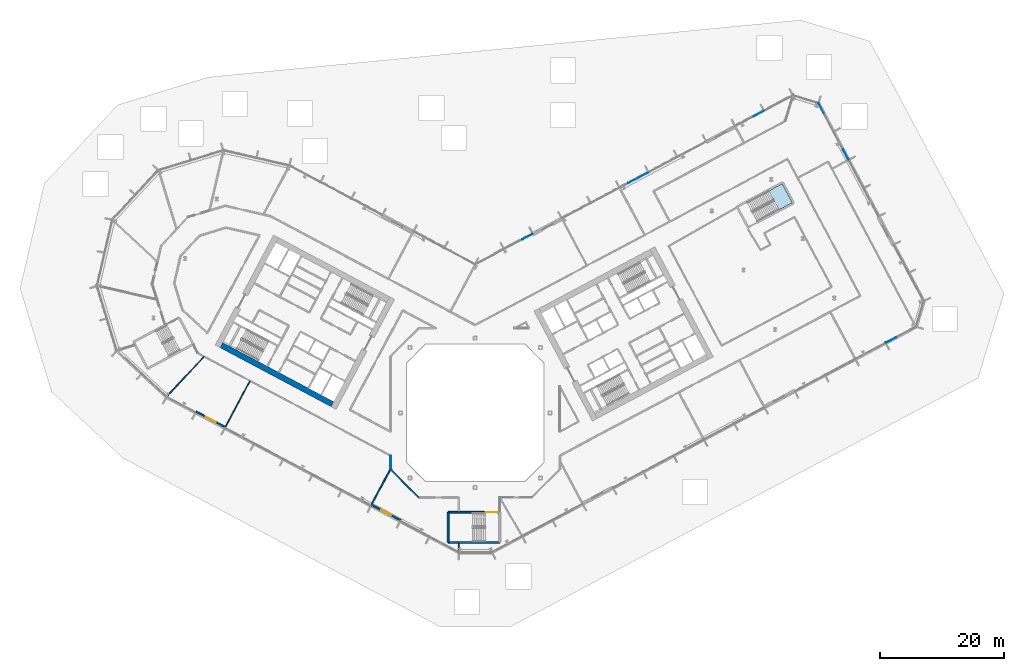
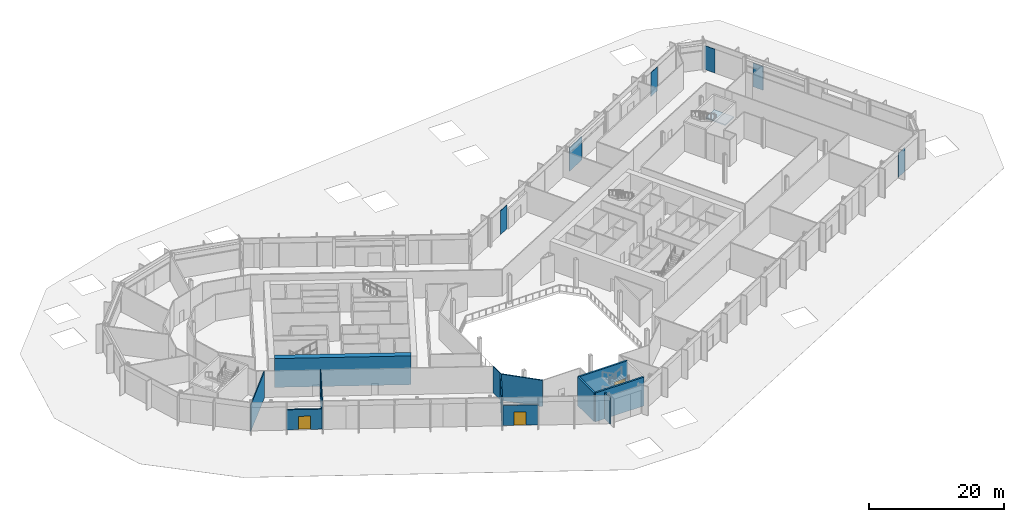
# One storey, part 11 of 30: 12 walls, 6 plates, 3 doors, 1 slab, 3 openings, 4 elements without a shape of their own.
"""IFC4 building model written with IfcOpenShell, lengths in metres."""

from ifc_helpers import new_model, si_unit, direction, frame, frame_2d, origin, origin_2d, place, context, subcontext, project, spatial, polyline, rectangle, outline, extrude, material, layer, layer_set, type_object, element, fill, aggregate, save


model = new_model("IFC4")

# Units and contexts
model_context = context("Model", 3, precision=1e-05, world=origin(), true_north=direction((0.0, 1.0)))
body_context = subcontext(model_context, "Body", "Model", "MODEL_VIEW")
ifc_project = project(units=[si_unit("LENGTHUNIT", "METRE"), si_unit("AREAUNIT", "SQUARE_METRE"), si_unit("VOLUMEUNIT", "CUBIC_METRE"), si_unit("PLANEANGLEUNIT", "RADIAN"), si_unit("MASSUNIT", "GRAM", prefix="KILO")], contexts=[model_context])

# Site, building, storey
site_placement = place(None, origin())
site = spatial("IfcSite", under=ifc_project, at=site_placement, CompositionType="ELEMENT")
building_placement = place(site_placement, origin())
building = spatial("IfcBuilding", under=site, at=building_placement, Name="Cormorant Relay Tower", CompositionType="ELEMENT")
storey_placement = place(building_placement, frame((0.0, 0.0, 7.0)))
storey = spatial("IfcBuildingStorey", under=building, at=storey_placement, Name="L01", CompositionType="ELEMENT", Elevation=7.0)

# Curtain wall, plate
ifc_material_1 = material(Name="Aluminium 6063-T6 anodised bronze", Category="aluminium")
ifc_layer_1 = layer(ifc_material_1, 0.235107421875)
ifc_layer_set_1 = layer_set([ifc_layer_1], Name="CW6 data hall curtain wall with mineral wool panels")
curtain_wall_type = type_object("IfcCurtainWallType", Name="CW6 data hall curtain wall with mineral wool panels", PredefinedType="NOTDEFINED", material=ifc_layer_set_1)
curtain_wall_1_placement = place(storey_placement, origin())
curtain_wall_1 = element("IfcCurtainWall", 1, at=curtain_wall_1_placement, inside=storey, type_object=curtain_wall_type, Name="CW6 curtain wall 2", PredefinedType="NOTDEFINED")
ifc_material_2 = material(Name="Tinted triple-glazed laminated unit")
ifc_layer_2 = layer(ifc_material_2, 0.074951171875)
ifc_layer_set_2 = layer_set([ifc_layer_2], Name="CW6 triple-glazed vision unit 1800 module")
plate_type_1 = type_object("IfcPlateType", Name="CW6 triple-glazed vision unit 1800 module", PredefinedType="CURTAIN_PANEL", material=ifc_layer_set_2)
plate_1_placement = place(storey_placement, frame((66.794189453125, 11.688720703125, 0.0), z_axis=(0.0, 0.0, 1.0), x_axis=(0.882947592859, 0.469471562786, 0.0)))
plate_1 = element("IfcPlate", 2, at=plate_1_placement, type_object=plate_type_1, Name="CW6 panel V14", PredefinedType="CURTAIN_PANEL", context=body_context, shape_type="SweptSolid", body=[
    extrude(rectangle(XDim=1.800048828125, YDim=0.074951171875, at=origin_2d()), origin(), (0.0, 0.0, 1.0), 4.300048828125),
])
aggregate(curtain_wall_1, [plate_1])

# Curtain wall, plates
curtain_wall_2_placement = place(storey_placement, origin())
curtain_wall_2 = element("IfcCurtainWall", 3, at=curtain_wall_2_placement, inside=storey, type_object=curtain_wall_type, Name="CW6 curtain wall 4", PredefinedType="NOTDEFINED")
plate_2_placement = place(storey_placement, frame((59.52587890625, 41.49169921875, 0.0), z_axis=(0.0, 0.0, 1.0), x_axis=(-0.469471562786, 0.882947592859, 0.0)))
plate_2 = element("IfcPlate", 4, at=plate_2_placement, type_object=plate_type_1, Name="CW6 panel V03", PredefinedType="CURTAIN_PANEL", context=body_context, shape_type="SweptSolid", body=[
    extrude(rectangle(XDim=1.800048828125, YDim=0.074951171875, at=origin_2d()), origin(), (0.0, 0.0, 1.0), 4.300048828125),
])
plate_3_placement = place(storey_placement, frame((55.577392578125, 48.91796875, 0.0), z_axis=(0.0, 0.0, 1.0), x_axis=(-0.469471562786, 0.882947592859, 0.0)))
plate_3 = element("IfcPlate", 5, at=plate_3_placement, type_object=plate_type_1, Name="CW6 panel V05", PredefinedType="CURTAIN_PANEL", context=body_context, shape_type="SweptSolid", body=[
    extrude(rectangle(XDim=1.800048828125, YDim=0.074951171875, at=origin_2d()), origin(), (0.0, 0.0, 1.0), 4.300048828125),
])
aggregate(curtain_wall_2, [plate_2, plate_3])

curtain_wall_3_placement = place(storey_placement, origin())
curtain_wall_3 = element("IfcCurtainWall", 6, at=curtain_wall_3_placement, inside=storey, type_object=curtain_wall_type, Name="CW6 curtain wall 6", PredefinedType="NOTDEFINED")
plate_4_placement = place(storey_placement, frame((45.543701171875, 48.04248046875, 0.0), z_axis=(0.0, 0.0, 1.0), x_axis=(-0.882947592859, -0.469471562786, 0.0)))
plate_4 = element("IfcPlate", 7, at=plate_4_placement, type_object=plate_type_1, Name="CW6 panel V01", PredefinedType="CURTAIN_PANEL", context=body_context, shape_type="SweptSolid", body=[
    extrude(rectangle(XDim=1.800048828125, YDim=0.074951171875, at=origin_2d()), origin(), (0.0, 0.0, 1.0), 4.300048828125),
])
plate_5_placement = place(storey_placement, frame((8.406005859375, 28.2958984375, 0.0), z_axis=(0.0, 0.0, 1.0), x_axis=(-0.882947592859, -0.469471562786, 0.0)))
plate_5 = element("IfcPlate", 8, at=plate_5_placement, type_object=plate_type_1, Name="CW6 panel V09", PredefinedType="CURTAIN_PANEL", context=body_context, shape_type="SweptSolid", body=[
    extrude(rectangle(XDim=1.800048828125, YDim=0.074951171875, at=origin_2d()), origin(), (0.0, 0.0, 1.0), 4.300048828125),
])
ifc_material_3 = material(Name="Tinted triple-glazed laminated unit")
ifc_layer_3 = layer(ifc_material_3, 0.074951171875)
ifc_layer_set_3 = layer_set([ifc_layer_3], Name="CW6 triple-glazed vision unit 3600 module")
plate_type_2 = type_object("IfcPlateType", Name="CW6 triple-glazed vision unit 3600 module", PredefinedType="CURTAIN_PANEL", material=ifc_layer_set_3)
plate_6_placement = place(storey_placement, frame((26.18017578125, 37.74658203125, 0.0), z_axis=(0.0, 0.0, 1.0), x_axis=(-0.882947592859, -0.469471562786, 0.0)))
plate_6 = element("IfcPlate", 9, at=plate_6_placement, type_object=plate_type_2, Name="CW6 panel V05", PredefinedType="CURTAIN_PANEL", context=body_context, shape_type="SweptSolid", body=[
    extrude(rectangle(XDim=3.60009765625, YDim=0.074951171875, at=origin_2d()), origin(), (0.0, 0.0, 1.0), 4.300048828125),
])
aggregate(curtain_wall_3, [plate_4, plate_6, plate_5])

# Stair, slab
ifc_material_4 = material(Name="Concrete 40 MPa", Category="concrete")
stair_type = type_object("IfcStairType", Name="Exit stair 1500", PredefinedType="HALF_TURN_STAIR", material=ifc_material_4)
stair_placement = place(storey_placement, origin())
stair = element("IfcStair", 10, at=stair_placement, inside=storey, type_object=stair_type, Name="L01 Stair", PredefinedType="HALF_TURN_STAIR")
ifc_material_5 = material(Name="Concrete 40 MPa", Category="concrete")
ifc_layer_4 = layer(ifc_material_5, 0.199951171875)
ifc_layer_set_4 = layer_set([ifc_layer_4], Name="Exit stair landing 200")
slab_type = type_object("IfcSlabType", Name="Exit stair landing 200", PredefinedType="LANDING", material=ifc_layer_set_4)
slab_placement = place(storey_placement, frame((0.0, 0.0, 2.39990234375)))
slab = element("IfcSlab", 11, at=slab_placement, type_object=slab_type, Name="RB1 landing 1", PredefinedType="LANDING", context=body_context, shape_type="SweptSolid", body=[
    extrude(outline(polyline([(48.796142578125, 32.614013671875), (50.941650390625, 33.7548828125), (49.322021484375, 36.801025390625), (47.17626953125, 35.66015625), (48.796142578125, 32.614013671875)])), origin(), (0.0, 0.0, 1.0), 0.2001953125),
])
aggregate(stair, [slab])

# Walls
ifc_material_6 = material(Name="Concrete 70 MPa", Category="concrete")
ifc_layer_5 = layer(ifc_material_6, 0.89990234375)
ifc_layer_set_5 = layer_set([ifc_layer_5], Name="Core wall 900")
wall_type_1 = type_object("IfcWallType", Name="Core wall 900", PredefinedType="SHEAR", material=ifc_layer_set_5)
wall_1_placement = place(storey_placement, frame((-22.93701171875, 1.3798828125, 0.0), z_axis=(0.0, 0.0, 1.0), x_axis=(-0.88295276571, 0.46946183394, 0.0)))
element("IfcWall", 12, at=wall_1_placement, inside=storey, type_object=wall_type_1, Name="L01 core A wall", PredefinedType="SHEAR", context=body_context, shape_type="SweptSolid", body=[
    extrude(rectangle(XDim=20.199951171875, YDim=0.89990234375, at=frame_2d((10.10009765625, 0.0))), origin(), (0.0, 0.0, 1.0), 5.199951171875),
])
ifc_material_7 = material(Name="Fire-rated gypsum board partition")
ifc_layer_6 = layer(ifc_material_7, 0.199951171875)
ifc_layer_set_6 = layer_set([ifc_layer_6], Name="Fire-rated gypsum partition 200")
wall_type_2 = type_object("IfcWallType", Name="Fire-rated gypsum partition 200", PredefinedType="PARTITIONING", material=ifc_layer_set_6)
wall_2_placement = place(storey_placement, frame((-13.60009765625, -8.998046875, 0.0), z_axis=(0.0, 0.0, 1.0), x_axis=(-0.469531053644, -0.882915958438, 0.0)))
element("IfcWall", 13, at=wall_2_placement, inside=storey, type_object=wall_type_2, Name="wall/L01/part/28", PredefinedType="PARTITIONING", context=body_context, shape_type="SweptSolid", body=[
    extrude(rectangle(XDim=6.870361328125, YDim=0.199951171875, at=frame_2d((3.43505859375, 0.0))), origin(), (0.0, 0.0, 1.0), 4.75),
])
wall_3_placement = place(storey_placement, frame((-9.076904296875, -13.60009765625, 0.0), z_axis=(0.0, 0.0, 1.0), x_axis=(-0.707106781187, 0.707106781187, 0.0)))
element("IfcWall", 14, at=wall_3_placement, inside=storey, type_object=wall_type_2, Name="wall/L01/part/43", PredefinedType="PARTITIONING", context=body_context, shape_type="SweptSolid", body=[
    extrude(rectangle(XDim=6.396728515625, YDim=0.199951171875, at=frame_2d((3.1982421875, 0.0))), origin(), (0.0, 0.0, 1.0), 4.75),
])
wall_4_placement = place(storey_placement, frame((-2.64892578125, -20.9599609375, 0.0), z_axis=(0.0, 0.0, 1.0), x_axis=(0.0, -1.0, 0.0)))
element("IfcWall", 15, at=wall_4_placement, inside=storey, type_object=wall_type_2, Name="wall/L01/part/48", PredefinedType="PARTITIONING", context=body_context, shape_type="SweptSolid", body=[
    extrude(rectangle(XDim=1.6220703125, YDim=0.199951171875, at=frame_2d((0.81103515625, 0.0))), origin(), (0.0, 0.0, 1.0), 4.75),
])

# Wall, opening, door
ifc_material_8 = material(Name="Bronze anodised aluminium cladding on steel stud", Category="steel")
ifc_layer_7 = layer(ifc_material_8, 0.25)
ifc_layer_set_7 = layer_set([ifc_layer_7], Name="Garden entrance wall 250")
wall_type_3 = type_object("IfcWallType", Name="Garden entrance wall 250", PredefinedType="STANDARD", material=ifc_layer_set_7)
wall_5_placement = place(storey_placement, frame((-44.838623046875, 0.19873046875, 0.0), z_axis=(0.0, 0.0, 1.0), x_axis=(0.882942052833, -0.46948198191, 0.0)))
wall_5 = element("IfcWall", 16, at=wall_5_placement, inside=storey, type_object=wall_type_3, Name="Garden entrance wall", PredefinedType="STANDARD", context=body_context, shape_type="SweptSolid", body=[
    extrude(rectangle(XDim=5.316650390625, YDim=0.25, at=frame_2d((2.658203125, 0.0))), origin(), (0.0, 0.0, 1.0), 3.612060546875),
])
opening_1_placement = place(wall_5_placement, frame((1.75830078125, 0.0, 0.0)))
opening_1 = element("IfcOpeningElement", 17, at=opening_1_placement, cuts=wall_5, Name="Opening PD7-007", PredefinedType="OPENING", context=body_context, shape_type="SweptSolid", body=[
    extrude(rectangle(XDim=1.800048828125, YDim=2.39990234375, at=frame_2d((0.89990234375, 1.199951171875))), frame((0.0, 0.135009765625, 0.0), z_axis=(0.0, -1.0, 0.0), x_axis=(1.0, 0.0, 0.0)), (0.0, 0.0, 1.0), 0.27001953125),
])
ifc_material_9 = material(Name="Bronze framed glass door", Category="glass")
door_type_1 = type_object("IfcDoorType", Name="Door garden glazed 1800", OperationType="DOUBLE_DOOR_SINGLE_SWING", PredefinedType="DOOR", material=ifc_material_9)
door_1_placement = place(opening_1_placement, frame((1.800048828125, 0.0, 0.0), z_axis=(0.0, 0.0, 1.0), x_axis=(-1.0, 0.0, 0.0)))
door_1 = element("IfcDoor", 18, at=door_1_placement, inside=storey, type_object=door_type_1, Name="Garden door", OperationType="DOUBLE_DOOR_SINGLE_SWING", OverallHeight=2.39990234375, OverallWidth=1.800048828125, PredefinedType="DOOR", context=body_context, shape_type="SweptSolid", body=[
    extrude(rectangle(XDim=1.800048828125, YDim=2.39990234375, at=frame_2d((0.89990234375, 1.199951171875))), frame((0.0, 0.02490234375, 0.0), z_axis=(0.0, -1.0, 0.0), x_axis=(1.0, 0.0, 0.0)), (0.0, 0.0, 1.0), 0.050048828125),
])
fill(opening_1, door_1)

wall_6_placement = place(storey_placement, frame((-16.673095703125, -14.777099609375, 0.0), z_axis=(0.0, 0.0, 1.0), x_axis=(0.882942052833, -0.46948198191, 0.0)))
wall_6 = element("IfcWall", 19, at=wall_6_placement, inside=storey, type_object=wall_type_3, Name="Garden entrance wall", PredefinedType="STANDARD", context=body_context, shape_type="SweptSolid", body=[
    extrude(rectangle(XDim=5.316650390625, YDim=0.25, at=frame_2d((2.658203125, 0.0))), origin(), (0.0, 0.0, 1.0), 3.612060546875),
])
opening_2_placement = place(wall_6_placement, frame((1.75830078125, 0.0, 0.0)))
opening_2 = element("IfcOpeningElement", 20, at=opening_2_placement, cuts=wall_6, Name="Opening PD7-008", PredefinedType="OPENING", context=body_context, shape_type="SweptSolid", body=[
    extrude(rectangle(XDim=1.800048828125, YDim=2.39990234375, at=frame_2d((0.89990234375, 1.199951171875))), frame((0.0, 0.135009765625, 0.0), z_axis=(0.0, -1.0, 0.0), x_axis=(1.0, 0.0, 0.0)), (0.0, 0.0, 1.0), 0.27001953125),
])
door_2_placement = place(opening_2_placement, frame((1.800048828125, 0.0, 0.0), z_axis=(0.0, 0.0, 1.0), x_axis=(-1.0, 0.0, 0.0)))
door_2 = element("IfcDoor", 21, at=door_2_placement, inside=storey, type_object=door_type_1, Name="Garden door", OperationType="DOUBLE_DOOR_SINGLE_SWING", OverallHeight=2.39990234375, OverallWidth=1.800048828125, PredefinedType="DOOR", context=body_context, shape_type="SweptSolid", body=[
    extrude(rectangle(XDim=1.800048828125, YDim=2.39990234375, at=frame_2d((0.89990234375, 1.199951171875))), frame((0.0, 0.02490234375, 0.0), z_axis=(0.0, -1.0, 0.0), x_axis=(1.0, 0.0, 0.0)), (0.0, 0.0, 1.0), 0.050048828125),
])
fill(opening_2, door_2)

# Walls
ifc_material_10 = material(Name="Gypsum board partition")
ifc_layer_8 = layer(ifc_material_10, 0.14990234375)
ifc_layer_set_8 = layer_set([ifc_layer_8], Name="Gypsum board partition 150")
wall_type_4 = type_object("IfcWallType", Name="Gypsum board partition 150", PredefinedType="PARTITIONING", material=ifc_layer_set_8)
wall_7_placement = place(storey_placement, frame((-49.73291015625, 2.43310546875, 0.0), z_axis=(0.0, 0.0, 1.0), x_axis=(0.682002261255, 0.731350063679, 0.0)))
element("IfcWall", 22, at=wall_7_placement, inside=storey, type_object=wall_type_4, Name="wall/L01/part/10", PredefinedType="PARTITIONING", context=body_context, shape_type="SweptSolid", body=[
    extrude(rectangle(XDim=9.05859375, YDim=0.14990234375, at=frame_2d((4.529296875, 0.0))), origin(), (0.0, 0.0, 1.0), 4.75),
])
wall_8_placement = place(storey_placement, frame((-36.18896484375, 5.14208984375, 0.0), z_axis=(0.0, 0.0, 1.0), x_axis=(-0.469482945701, -0.882941540361, 0.0)))
element("IfcWall", 23, at=wall_8_placement, inside=storey, type_object=wall_type_4, Name="wall/L01/part/11", PredefinedType="PARTITIONING", context=body_context, shape_type="SweptSolid", body=[
    extrude(rectangle(XDim=8.75048828125, YDim=0.14990234375, at=frame_2d((4.375244140625, 0.0))), origin(), (0.0, 0.0, 1.0), 4.75),
])
wall_9_placement = place(storey_placement, frame((-13.60009765625, -8.998046875, 0.0), z_axis=(0.0, 0.0, 1.0), x_axis=(0.0, 1.0, 0.0)))
element("IfcWall", 24, at=wall_9_placement, inside=storey, type_object=wall_type_4, Name="wall/L01/part/21", PredefinedType="PARTITIONING", context=body_context, shape_type="SweptSolid", body=[
    extrude(rectangle(XDim=2.129150390625, YDim=0.14990234375, at=frame_2d((1.064453125, 0.0))), origin(), (0.0, 0.0, 1.0), 4.75),
])
ifc_material_11 = material(Name="Concrete 50 MPa", Category="concrete")
ifc_layer_9 = layer(ifc_material_11, 0.300048828125)
ifc_layer_set_9 = layer_set([ifc_layer_9], Name="Remote stair wall 300")
wall_type_5 = type_object("IfcWallType", Name="Remote stair wall 300", PredefinedType="SHEAR", material=ifc_layer_set_9)
wall_10_placement = place(storey_placement, frame((3.949951171875, -20.824951171875, 0.0), z_axis=(0.0, 0.0, 1.0), x_axis=(-1.0, 0.0, 0.0)))
element("IfcWall", 25, at=wall_10_placement, inside=storey, type_object=wall_type_5, Name="L01 exit stair RK1 wall", PredefinedType="SHEAR", context=body_context, shape_type="SweptSolid", body=[
    extrude(rectangle(XDim=8.300048828125, YDim=0.300048828125, at=frame_2d((4.14990234375, 0.0))), origin(), (0.0, 0.0, 1.0), 5.199951171875),
])
wall_11_placement = place(storey_placement, frame((-4.35009765625, -20.824951171875, 0.0), z_axis=(0.0, 0.0, 1.0), x_axis=(0.0, 1.0, 0.0)))
element("IfcWall", 26, at=wall_11_placement, inside=storey, type_object=wall_type_5, Name="L01 exit stair RK1 wall", PredefinedType="SHEAR", context=body_context, shape_type="SweptSolid", body=[
    extrude(rectangle(XDim=4.849853515625, YDim=0.300048828125, at=frame_2d((2.4248046875, 0.0))), origin(), (0.0, 0.0, 1.0), 5.199951171875),
])

# Wall, opening, door
wall_12_placement = place(storey_placement, frame((-4.35009765625, -15.97509765625, 0.0), z_axis=(0.0, 0.0, 1.0), x_axis=(1.0, 0.0, 0.0)))
wall_12 = element("IfcWall", 27, at=wall_12_placement, inside=storey, type_object=wall_type_5, Name="L01 exit stair RK1 wall", PredefinedType="SHEAR", context=body_context, shape_type="SweptSolid", body=[
    extrude(rectangle(XDim=8.300048828125, YDim=0.300048828125, at=frame_2d((4.14990234375, 0.0))), origin(), (0.0, 0.0, 1.0), 5.199951171875),
])
opening_3_placement = place(wall_12_placement, frame((6.050048828125, 0.0, 0.0)))
opening_3 = element("IfcOpeningElement", 28, at=opening_3_placement, cuts=wall_12, Name="Opening CDE-004", PredefinedType="OPENING", context=body_context, shape_type="SweptSolid", body=[
    extrude(rectangle(XDim=1.89990234375, YDim=2.10009765625, at=frame_2d((0.949951171875, 1.050048828125))), frame((0.0, 0.159912109375, 0.0), z_axis=(0.0, -1.0, 0.0), x_axis=(1.0, 0.0, 0.0)), (0.0, 0.0, 1.0), 0.320068359375),
])
ifc_material_12 = material(Name="Steel fire door", Category="steel")
door_type_2 = type_object("IfcDoorType", Name="Remote stair door 1900x2100", OperationType="DOUBLE_DOOR_SINGLE_SWING", PredefinedType="DOOR", material=ifc_material_12)
door_3_placement = place(opening_3_placement, frame((1.89990234375, 0.0, 0.0), z_axis=(0.0, 0.0, 1.0), x_axis=(-1.0, 0.0, 0.0)))
door_3 = element("IfcDoor", 29, at=door_3_placement, inside=storey, type_object=door_type_2, Name="Exit stair RK1 door", OperationType="DOUBLE_DOOR_SINGLE_SWING", OverallHeight=2.10009765625, OverallWidth=1.89990234375, PredefinedType="DOOR", context=body_context, shape_type="SweptSolid", body=[
    extrude(rectangle(XDim=1.89990234375, YDim=2.10009765625, at=frame_2d((0.949951171875, 1.050048828125))), frame((0.0, 0.02490234375, 0.0), z_axis=(0.0, -1.0, 0.0), x_axis=(1.0, 0.0, 0.0)), (0.0, 0.0, 1.0), 0.050048828125),
])
fill(opening_3, door_3)

save(model, "model.ifc")
